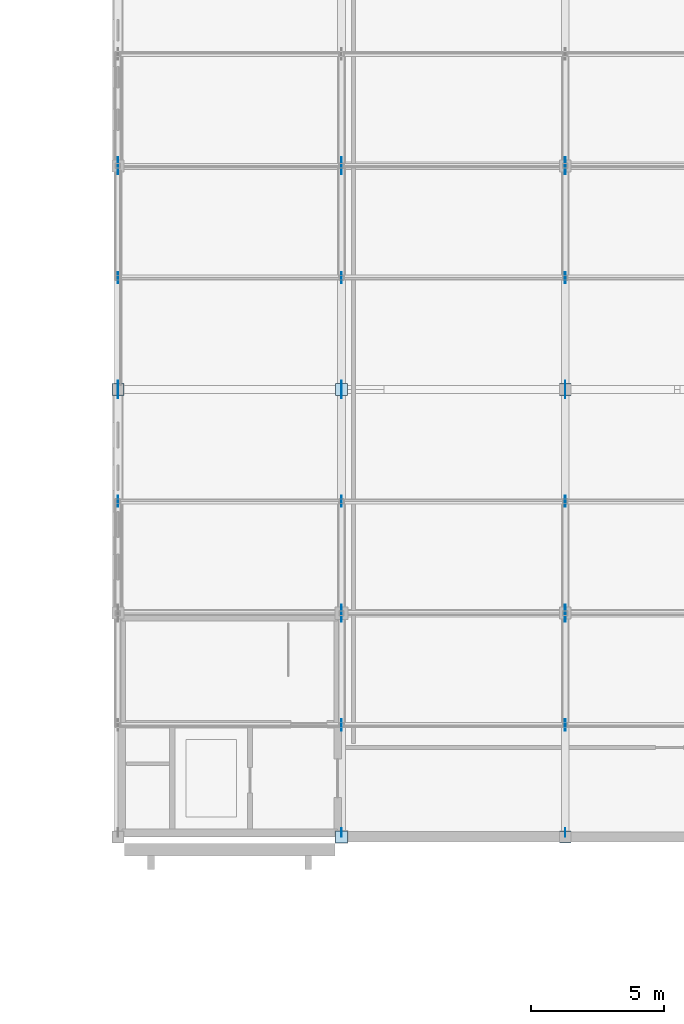
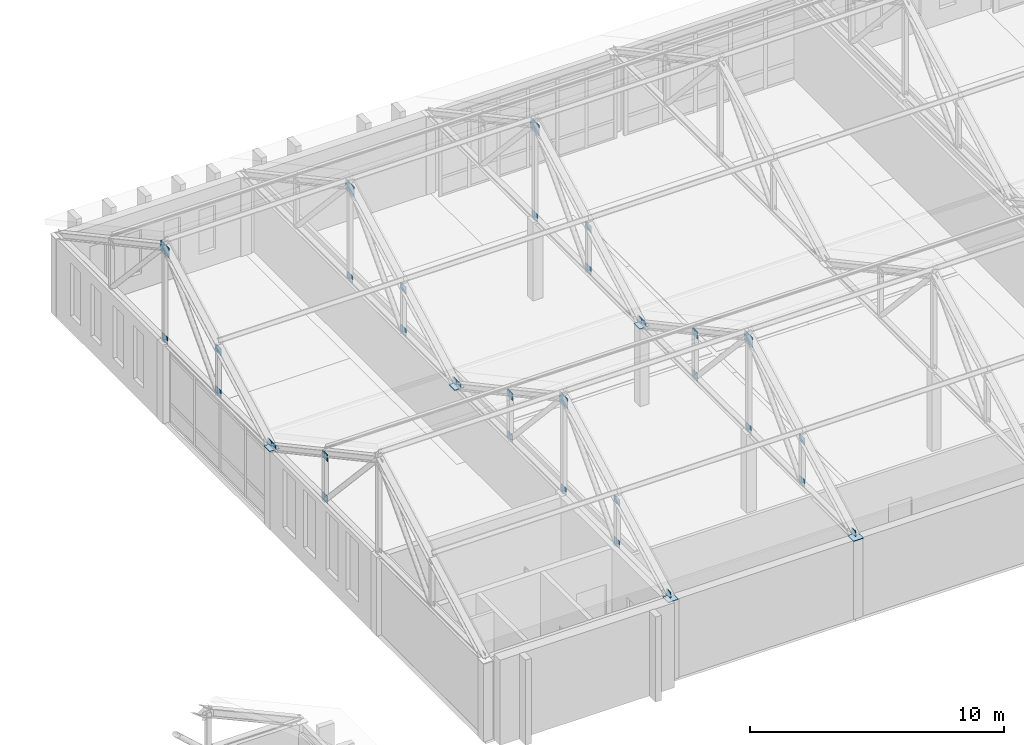
# One storey, part 74 of 110: 39 plates.
"""IFC4 building model written with IfcOpenShell, lengths in metres."""

import ifcopenshell
import ifcopenshell.guid

model = None  # the IFC model being written
_history = None  # IfcOwnerHistory: only IFC2X3 demands one
_inside = {}  # id of a spatial element -> (the spatial element, [elements in it])
_under = {}  # id of a project, library or spatial element -> (it, [spatial elements below it])
_declared = {}  # id of a project -> (the project, [libraries it declares])
_typed = {}  # id of a type object -> (the type object, [elements of that type])
_made_of = {}  # id of a material, layer set ... -> (it, [elements and type objects made of it])


def new_model(schema):
    """Start an empty IFC model of exactly this schema.

    Asked for "IFC4X3", IfcOpenShell would pick the latest addendum, in which some entities
    have other attributes; the version numbers below select the first issue.
    IFC2X3 requires an IfcOwnerHistory on every rooted entity: one is made here for all.
    """
    global model, _history
    if schema == "IFC4X3":
        model = ifcopenshell.file(schema_version=(4, 3, 0, 0))
    else:
        model = ifcopenshell.file(schema=schema)
    _inside.clear()
    _under.clear()
    _declared.clear()
    _typed.clear()
    _made_of.clear()
    _history = None
    if model.schema == "IFC2X3":
        org = make("IfcOrganization", Name="unknown")
        user = make(
            "IfcPersonAndOrganization",
            ThePerson=make("IfcPerson", FamilyName="unknown"),
            TheOrganization=org,
        )
        app = make(
            "IfcApplication",
            ApplicationDeveloper=org,
            Version="unknown",
            ApplicationFullName="unknown",
            ApplicationIdentifier="unknown",
        )
        _history = make(
            "IfcOwnerHistory",
            OwningUser=user,
            OwningApplication=app,
            ChangeAction="ADDED",
            CreationDate=0,
        )
    return model


def make(cls, **values):
    """One entity of the class cls with the attributes given. An attribute that is None is left unset."""
    return model.create_entity(
        cls, **{name: value for name, value in values.items() if value is not None}
    )


def rooted(cls, **values):
    """An entity with a GlobalId (a new one), such as an element, a storey or a relation."""
    return make(cls, GlobalId=ifcopenshell.guid.new(), OwnerHistory=_history, **values)


def si_unit(unit_type, name, prefix=None):
    """IfcSIUnit, for example si_unit("LENGTHUNIT", "METRE", prefix="MILLI")."""
    return make("IfcSIUnit", UnitType=unit_type, Prefix=prefix, Name=name)


def assignment(units):
    """IfcUnitAssignment: the units of a project."""
    return None if units is None else make("IfcUnitAssignment", Units=units)


def point(xyz):
    """IfcCartesianPoint."""
    return None if xyz is None else make("IfcCartesianPoint", Coordinates=xyz)


def direction(xyz):
    """IfcDirection."""
    return None if xyz is None else make("IfcDirection", DirectionRatios=xyz)


def frame(location, z_axis=None, x_axis=None):
    """IfcAxis2Placement3D, a coordinate frame: its origin and axes. An axis left out is left unset."""
    return make(
        "IfcAxis2Placement3D",
        Location=point(location),
        Axis=direction(z_axis),
        RefDirection=direction(x_axis),
    )


def frame_2d(location, x_axis=None):
    """IfcAxis2Placement2D, a coordinate frame in the plane: its origin and x axis."""
    return make(
        "IfcAxis2Placement2D", Location=point(location), RefDirection=direction(x_axis)
    )


def origin():
    """The frame at (0, 0, 0) with its axes left unset."""
    return frame((0.0, 0.0, 0.0))


def origin_2d():
    """The frame at (0, 0) in the plane with its x axis left unset."""
    return frame_2d((0.0, 0.0))


def place(relative_to, where):
    """IfcLocalPlacement: puts the frame where relative to a parent placement (None: the world)."""
    return make(
        "IfcLocalPlacement", PlacementRelTo=relative_to, RelativePlacement=where
    )


def context(
    kind, dimensions, precision=None, world=None, true_north=None, identifier=None
):
    """IfcGeometricRepresentationContext, for example the 3D "Model" context."""
    return make(
        "IfcGeometricRepresentationContext",
        ContextIdentifier=identifier,
        ContextType=kind,
        CoordinateSpaceDimension=dimensions,
        Precision=precision,
        WorldCoordinateSystem=world,
        TrueNorth=true_north,
    )


def subcontext(parent, identifier, kind, view, scale=None):
    """IfcGeometricRepresentationSubContext, for example "Body" below "Model"."""
    return make(
        "IfcGeometricRepresentationSubContext",
        ContextIdentifier=identifier,
        ContextType=kind,
        ParentContext=parent,
        TargetScale=scale,
        TargetView=view,
    )


def project(units=None, contexts=None):
    """IfcProject with its units and contexts."""
    return rooted(
        "IfcProject",
        Name="project",
        RepresentationContexts=contexts,
        UnitsInContext=assignment(units),
    )


def spatial(cls, under=None, at=None, **own):
    """A site, building, storey or space (cls), placed at a placement, below another one or the project."""
    s = rooted(cls, ObjectPlacement=at, **own)
    if under is not None:
        _under.setdefault(under.id(), (under, []))[1].append(s)
    return s


def profile(cls, at=None, kind="AREA", **sizes):
    """A parametric profile (cls). Its sizes go by their IFC names, for example OverallWidth=200.0."""
    return make(cls, ProfileType=kind, Position=at, **sizes)


def rectangle(**sizes):
    """IfcRectangleProfileDef."""
    return profile("IfcRectangleProfileDef", **sizes)


def extrude(swept, where, along, depth):
    """IfcExtrudedAreaSolid: the profile swept, set in the frame where, extruded along a direction by depth."""
    return make(
        "IfcExtrudedAreaSolid",
        SweptArea=swept,
        Position=where,
        ExtrudedDirection=direction(along),
        Depth=depth,
    )


def shape(context_of_items, identifier, shape_type, items):
    """IfcShapeRepresentation: the items that make up one representation, for example the "Body"."""
    return make(
        "IfcShapeRepresentation",
        ContextOfItems=context_of_items,
        RepresentationIdentifier=identifier,
        RepresentationType=shape_type,
        Items=items,
    )


def material(Name=None, Category=None):
    """IfcMaterial."""
    return make("IfcMaterial", Name=Name, Category=Category)


def layer(
    of_material, thickness, ventilated=None, Name=None, Category=None, Priority=None
):
    """IfcMaterialLayer: one layer of a wall or slab, of a material (None: an air gap)."""
    return make(
        "IfcMaterialLayer",
        Material=of_material,
        LayerThickness=thickness,
        IsVentilated=ventilated,
        Name=Name,
        Category=Category,
        Priority=Priority,
    )


def layer_set(layers, Name=None):
    """IfcMaterialLayerSet."""
    return make("IfcMaterialLayerSet", MaterialLayers=layers, LayerSetName=Name)


def made_of(thing, what):
    """Note that an element or type object is made of a material, layer set ...; save() writes the relation."""
    if what is not None:
        _made_of.setdefault(what.id(), (what, []))[1].append(thing)
    return thing


def type_object(cls, material=None, **own):
    """A type object (cls), such as IfcWallType, which elements share."""
    return made_of(rooted(cls, **own), material)


def element(
    cls,
    number,
    at=None,
    inside=None,
    cuts=None,
    type_object=None,
    material=None,
    context=None,
    identifier="Body",
    shape_type=None,
    held_by="IfcProductDefinitionShape",
    body=None,
    shapes=None,
    **own,
):
    """One element of the class cls, such as IfcWall. Its Tag is "e" and its number.

    at: its placement. inside: the storey or other place that contains it. cuts: it is an
    opening in that element (IfcRelVoidsElement). A single representation is given by context,
    identifier, shape_type and body (its items); several are given by shapes. held_by: the class
    of the entity that holds the representations. save() writes the other relations.
    """
    e = rooted(cls, Tag="e%d" % number, ObjectPlacement=at, **own)
    if body is not None:
        shapes = [shape(context, identifier, shape_type, body)]
    if shapes is not None:
        e.Representation = make(held_by, Representations=shapes)
    if inside is not None:
        _inside.setdefault(inside.id(), (inside, []))[1].append(e)
    if cuts is not None:
        rooted(
            "IfcRelVoidsElement", RelatingBuildingElement=cuts, RelatedOpeningElement=e
        )
    if type_object is not None:
        _typed.setdefault(type_object.id(), (type_object, []))[1].append(e)
    return made_of(e, material)


def aggregate(whole, parts):
    """IfcRelAggregates: a whole, such as a stair, and the parts it consists of."""
    return rooted("IfcRelAggregates", RelatingObject=whole, RelatedObjects=parts)


def save(model, path):
    """Write the relations noted so far, then the file.

    IfcRelAggregates (storeys below a building ...), IfcRelContainedInSpatialStructure (elements
    in a storey), IfcRelDefinesByType, IfcRelAssociatesMaterial and IfcRelDeclares: one each for
    every whole, place, type object, material and project.
    """
    for whole, parts in _under.values():
        aggregate(whole, parts)
    for where, things in _inside.values():
        rooted(
            "IfcRelContainedInSpatialStructure",
            RelatedElements=things,
            RelatingStructure=where,
        )
    for kind, things in _typed.values():
        rooted("IfcRelDefinesByType", RelatedObjects=things, RelatingType=kind)
    for what, things in _made_of.values():
        rooted("IfcRelAssociatesMaterial", RelatedObjects=things, RelatingMaterial=what)
    for by, libraries in _declared.values():
        rooted("IfcRelDeclares", RelatingContext=by, RelatedDefinitions=libraries)
    model.write(path)


model = new_model("IFC4")

# Units and contexts
model_context = context("Model", 3, precision=1e-05, world=origin(), true_north=direction((0.0, 1.0)))
body_context = subcontext(model_context, "Body", "Model", "MODEL_VIEW")
ifc_project = project(units=[si_unit("LENGTHUNIT", "METRE"), si_unit("AREAUNIT", "SQUARE_METRE"), si_unit("VOLUMEUNIT", "CUBIC_METRE"), si_unit("PLANEANGLEUNIT", "RADIAN"), si_unit("MASSUNIT", "GRAM", prefix="KILO")], contexts=[model_context])

# Site, building, storey
site_placement = place(None, origin())
site = spatial("IfcSite", under=ifc_project, at=site_placement, CompositionType="ELEMENT")
building_placement = place(site_placement, origin())
building = spatial("IfcBuilding", under=site, at=building_placement, Name="Kveldsbrygga Polytechnic", CompositionType="ELEMENT")
storey_placement = place(building_placement, frame((0.0, 0.0, 9.860107421875)))
storey = spatial("IfcBuildingStorey", under=building, at=storey_placement, Name="L02", CompositionType="ELEMENT", Elevation=9.860107421875)

# Plates
ifc_material = material(Name="Steel S355", Category="steel")
ifc_layer_1 = layer(ifc_material, 0.030029296875)
ifc_layer_set_1 = layer_set([ifc_layer_1], Name="Steel S355")
plate_type_1 = type_object("IfcPlateType", Name="CAP-BEAR-450", PredefinedType="SHEET", material=ifc_layer_set_1)
for number, where, z_axis, x_axis, name in (
    (1, (42.0, 100.800048828125, 3.75), (0.0, 0.0, 1.0), (1.0, 0.0, 0.0), "Truss Bearing Plate V2L1-T01-B"),
    (2, (50.39990234375, 84.0, 3.75), (0.0, 0.0, 1.0), (1.0, 0.0, 0.0), "Truss Bearing Plate V2L1-T02-A"),
    (3, (50.39990234375, 100.800048828125, 3.75), (0.0, 0.0, 1.0), (1.0, 0.0, 0.0), "Truss Bearing Plate V2L1-T02-B"),
    (4, (58.800048828125, 84.0, 3.75), (0.0, 0.0, 1.0), (1.0, 0.0, 0.0), "Truss Bearing Plate V2L1-T03-A"),
    (5, (58.800048828125, 100.800048828125, 3.75), (0.0, 0.0, 1.0), (1.0, 0.0, 0.0), "Truss Bearing Plate V2L1-T03-B"),
):
    element("IfcPlate", number, at=place(storey_placement, frame(where, z_axis=z_axis, x_axis=x_axis)), inside=storey, type_object=plate_type_1, Name=name, PredefinedType="SHEET", context=body_context, shape_type="SweptSolid", body=[
        extrude(rectangle(XDim=0.449951171875, YDim=0.449951171875, at=origin_2d()), origin(), (0.0, 0.0, 1.0), 0.030029296875),
    ])
ifc_layer_2 = layer(ifc_material, 0.02490234375)
ifc_layer_set_2 = layer_set([ifc_layer_2], Name="Steel S355")
plate_type_2 = type_object("IfcPlateType", Name="GUS-APEX-650", PredefinedType="SHEET", material=ifc_layer_set_2)
for number, where, z_axis, x_axis, name in (
    (6, (50.39990234375, 92.39990234375, 7.929931640625), (0.0, 0.0, 1.0), (1.0, 0.0, 0.0), "Truss Gusset Plate V2L1-T02-GP-2"),
    (7, (58.800048828125, 92.39990234375, 7.929931640625), (0.0, 0.0, 1.0), (1.0, 0.0, 0.0), "Truss Gusset Plate V2L1-T03-GP-2"),
    (8, (42.0, 109.199951171875, 7.929931640625), (0.0, 0.0, 1.0), (1.0, 0.0, 0.0), "Truss Gusset Plate V2L2-T01-GP-2"),
    (9, (50.39990234375, 109.199951171875, 7.929931640625), (0.0, 0.0, 1.0), (1.0, 0.0, 0.0), "Truss Gusset Plate V2L2-T02-GP-2"),
    (10, (58.800048828125, 109.199951171875, 7.929931640625), (0.0, 0.0, 1.0), (1.0, 0.0, 0.0), "Truss Gusset Plate V2L2-T03-GP-2"),
):
    element("IfcPlate", number, at=place(storey_placement, frame(where, z_axis=z_axis, x_axis=x_axis)), inside=storey, type_object=plate_type_2, Name=name, PredefinedType="SHEET", context=body_context, shape_type="SweptSolid", body=[
        extrude(rectangle(XDim=0.02490234375, YDim=0.64990234375, at=origin_2d()), origin(), (0.0, 0.0, 1.0), 0.5),
    ])
ifc_layer_3 = layer(ifc_material, 0.01806640625)
ifc_layer_set_3 = layer_set([ifc_layer_3], Name="Steel S355")
plate_type_3 = type_object("IfcPlateType", Name="GUS-BRACE-320", PredefinedType="SHEET", material=ifc_layer_set_3)
for number, where, z_axis, x_axis, name in (
    (11, (42.0, 100.639892578125, 3.73974609375), (0.0, 0.0, 1.0), (1.0, 0.0, 0.0), "Truss Eaves Node Gusset V2L1-T01-EGP-B"),
    (12, (50.39990234375, 84.159912109375, 3.73974609375), (0.0, 0.0, 1.0), (1.0, 0.0, 0.0), "Truss Eaves Node Gusset V2L1-T02-EGP-A"),
    (13, (50.39990234375, 100.639892578125, 3.73974609375), (0.0, 0.0, 1.0), (1.0, 0.0, 0.0), "Truss Eaves Node Gusset V2L1-T02-EGP-B"),
    (14, (58.800048828125, 84.159912109375, 3.73974609375), (0.0, 0.0, 1.0), (1.0, 0.0, 0.0), "Truss Eaves Node Gusset V2L1-T03-EGP-A"),
    (15, (58.800048828125, 100.639892578125, 3.73974609375), (0.0, 0.0, 1.0), (1.0, 0.0, 0.0), "Truss Eaves Node Gusset V2L1-T03-EGP-B"),
    (16, (42.0, 100.9599609375, 3.73974609375), (0.0, 0.0, 1.0), (1.0, 0.0, 0.0), "Truss Eaves Node Gusset V2L2-T01-EGP-A"),
    (17, (50.39990234375, 100.9599609375, 3.73974609375), (0.0, 0.0, 1.0), (1.0, 0.0, 0.0), "Truss Eaves Node Gusset V2L2-T02-EGP-A"),
    (18, (58.800048828125, 100.9599609375, 3.73974609375), (0.0, 0.0, 1.0), (1.0, 0.0, 0.0), "Truss Eaves Node Gusset V2L2-T03-EGP-A"),
):
    element("IfcPlate", number, at=place(storey_placement, frame(where, z_axis=z_axis, x_axis=x_axis)), inside=storey, type_object=plate_type_3, Name=name, PredefinedType="SHEET", context=body_context, shape_type="SweptSolid", body=[
        extrude(rectangle(XDim=0.01806640625, YDim=0.320068359375, at=origin_2d()), origin(), (0.0, 0.0, 1.0), 0.320068359375),
    ])
ifc_layer_4 = layer(ifc_material, 0.02001953125)
ifc_layer_set_4 = layer_set([ifc_layer_4], Name="Steel S355")
plate_type_4 = type_object("IfcPlateType", Name="GUS-LECT-420", PredefinedType="SHEET", material=ifc_layer_set_4)
for number, where, z_axis, x_axis, name in (
    (19, (42.0, 96.60009765625, 5.729736328125), (0.0, 0.0, 1.0), (1.0, 0.0, 0.0), "Truss Gusset Plate V2L1-T01-GP-3"),
    (20, (42.0, 96.60009765625, 3.724853515625), (0.0, 0.0, 1.0), (1.0, 0.0, 0.0), "Truss Bottom-Chord Node Gusset V2L1-T01-BGP-3"),
    (21, (50.39990234375, 88.199951171875, 5.729736328125), (0.0, 0.0, 1.0), (1.0, 0.0, 0.0), "Truss Gusset Plate V2L1-T02-GP-1"),
    (22, (50.39990234375, 88.199951171875, 3.724853515625), (0.0, 0.0, 1.0), (1.0, 0.0, 0.0), "Truss Bottom-Chord Node Gusset V2L1-T02-BGP-1"),
    (23, (50.39990234375, 92.39990234375, 3.724853515625), (0.0, 0.0, 1.0), (1.0, 0.0, 0.0), "Truss Bottom-Chord Node Gusset V2L1-T02-BGP-2"),
    (24, (50.39990234375, 96.60009765625, 5.729736328125), (0.0, 0.0, 1.0), (1.0, 0.0, 0.0), "Truss Gusset Plate V2L1-T02-GP-3"),
    (25, (50.39990234375, 96.60009765625, 3.724853515625), (0.0, 0.0, 1.0), (1.0, 0.0, 0.0), "Truss Bottom-Chord Node Gusset V2L1-T02-BGP-3"),
    (26, (58.800048828125, 88.199951171875, 5.729736328125), (0.0, 0.0, 1.0), (1.0, 0.0, 0.0), "Truss Gusset Plate V2L1-T03-GP-1"),
    (27, (58.800048828125, 88.199951171875, 3.724853515625), (0.0, 0.0, 1.0), (1.0, 0.0, 0.0), "Truss Bottom-Chord Node Gusset V2L1-T03-BGP-1"),
    (28, (58.800048828125, 92.39990234375, 3.724853515625), (0.0, 0.0, 1.0), (1.0, 0.0, 0.0), "Truss Bottom-Chord Node Gusset V2L1-T03-BGP-2"),
    (29, (58.800048828125, 96.60009765625, 5.729736328125), (0.0, 0.0, 1.0), (1.0, 0.0, 0.0), "Truss Gusset Plate V2L1-T03-GP-3"),
    (30, (58.800048828125, 96.60009765625, 3.724853515625), (0.0, 0.0, 1.0), (1.0, 0.0, 0.0), "Truss Bottom-Chord Node Gusset V2L1-T03-BGP-3"),
    (31, (42.0, 105.0, 5.729736328125), (0.0, 0.0, 1.0), (1.0, 0.0, 0.0), "Truss Gusset Plate V2L2-T01-GP-1"),
    (32, (42.0, 105.0, 3.724853515625), (0.0, 0.0, 1.0), (1.0, 0.0, 0.0), "Truss Bottom-Chord Node Gusset V2L2-T01-BGP-1"),
    (33, (42.0, 109.199951171875, 3.724853515625), (0.0, 0.0, 1.0), (1.0, 0.0, 0.0), "Truss Bottom-Chord Node Gusset V2L2-T01-BGP-2"),
    (34, (50.39990234375, 105.0, 5.729736328125), (0.0, 0.0, 1.0), (1.0, 0.0, 0.0), "Truss Gusset Plate V2L2-T02-GP-1"),
    (35, (50.39990234375, 105.0, 3.724853515625), (0.0, 0.0, 1.0), (1.0, 0.0, 0.0), "Truss Bottom-Chord Node Gusset V2L2-T02-BGP-1"),
    (36, (50.39990234375, 109.199951171875, 3.724853515625), (0.0, 0.0, 1.0), (1.0, 0.0, 0.0), "Truss Bottom-Chord Node Gusset V2L2-T02-BGP-2"),
    (37, (58.800048828125, 105.0, 5.729736328125), (0.0, 0.0, 1.0), (1.0, 0.0, 0.0), "Truss Gusset Plate V2L2-T03-GP-1"),
    (38, (58.800048828125, 105.0, 3.724853515625), (0.0, 0.0, 1.0), (1.0, 0.0, 0.0), "Truss Bottom-Chord Node Gusset V2L2-T03-BGP-1"),
    (39, (58.800048828125, 109.199951171875, 3.724853515625), (0.0, 0.0, 1.0), (1.0, 0.0, 0.0), "Truss Bottom-Chord Node Gusset V2L2-T03-BGP-2"),
):
    element("IfcPlate", number, at=place(storey_placement, frame(where, z_axis=z_axis, x_axis=x_axis)), inside=storey, type_object=plate_type_4, Name=name, PredefinedType="SHEET", context=body_context, shape_type="SweptSolid", body=[
        extrude(rectangle(XDim=0.02001953125, YDim=0.419921875, at=origin_2d()), origin(), (0.0, 0.0, 1.0), 0.35009765625),
    ])

save(model, "model.ifc")
